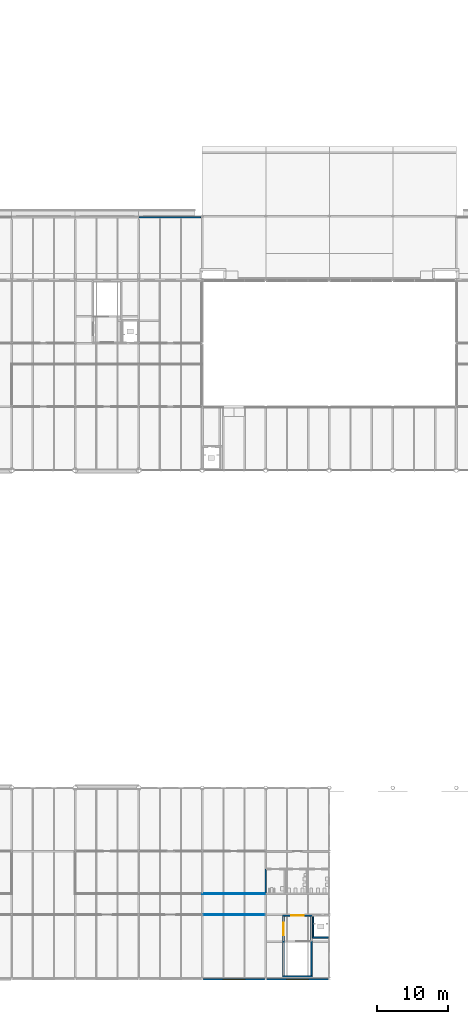
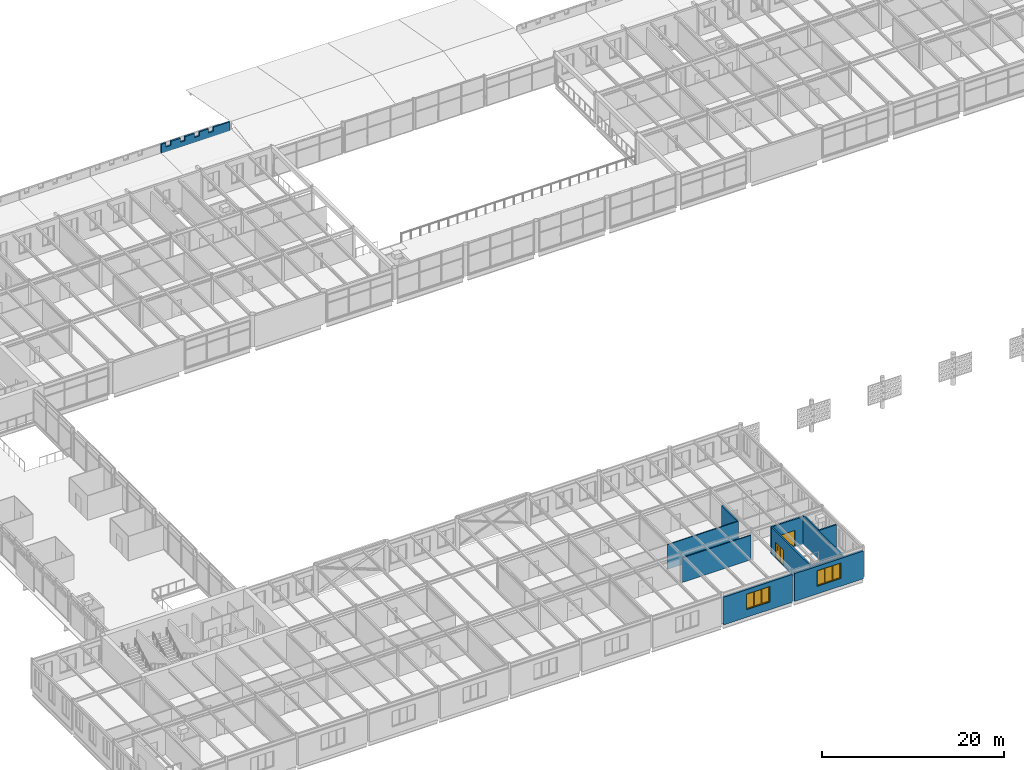
# One storey, part 76 of 123: 12 walls, 2 doors, 2 windows, 4 openings.
"""IFC4 building model written with IfcOpenShell, lengths in metres."""

from ifc_helpers import new_model, si_unit, direction, frame, frame_2d, origin, place, context, subcontext, project, spatial, polyline, rectangle, outline, extrude, material, layer, layer_set, type_object, element, fill, save


model = new_model("IFC4")

# Units and contexts
model_context = context("Model", 3, precision=1e-05, world=origin(), true_north=direction((0.0, 1.0)))
body_context = subcontext(model_context, "Body", "Model", "MODEL_VIEW")
ifc_project = project(units=[si_unit("LENGTHUNIT", "METRE"), si_unit("AREAUNIT", "SQUARE_METRE"), si_unit("VOLUMEUNIT", "CUBIC_METRE"), si_unit("PLANEANGLEUNIT", "RADIAN"), si_unit("MASSUNIT", "GRAM", prefix="KILO")], contexts=[model_context])

# Site, building, storey
site_placement = place(None, origin())
site = spatial("IfcSite", under=ifc_project, at=site_placement, CompositionType="ELEMENT")
building_placement = place(site_placement, origin())
building = spatial("IfcBuilding", under=site, at=building_placement, Name="Baradari Gate Terminus", CompositionType="ELEMENT")
storey_placement = place(building_placement, frame((0.0, 0.0, 7.5)))
storey = spatial("IfcBuildingStorey", under=building, at=storey_placement, Name="L01", CompositionType="ELEMENT", Elevation=7.5)

# Walls
ifc_material_1 = material(Name="Gypsum board")
ifc_layer_1 = layer(ifc_material_1, 0.125)
ifc_layer_set_1 = layer_set([ifc_layer_1], Name="Gypsum board")
wall_type_1 = type_object("IfcWallType", Name="Corridor partition PT-5 125 EI 30", PredefinedType="PARTITIONING", material=ifc_layer_set_1)
wall_1_placement = place(storey_placement, frame((143.871826171875, 18.0, 0.0), z_axis=(0.0, 0.0, 1.0), x_axis=(-1.0, 0.0, 0.0)))
element("IfcWall", 1, at=wall_1_placement, inside=storey, type_object=wall_type_1, Name="PT-5 partition Corridor (Service Corridor South) / Open Office South", PredefinedType="PARTITIONING", context=body_context, shape_type="SweptSolid", body=[
    extrude(rectangle(XDim=8.74365234375, YDim=0.125, at=frame_2d((4.371826171875, 0.0))), origin(), (0.0, 0.0, 1.0), 3.306884765625),
])
wall_2_placement = place(storey_placement, frame((135.0, 21.0, 0.0), z_axis=(0.0, 0.0, 1.0), x_axis=(1.0, 0.0, 0.0)))
element("IfcWall", 2, at=wall_2_placement, inside=storey, type_object=wall_type_1, Name="PT-5 partition Corridor (Service Corridor South) / South Wing Office 6", PredefinedType="PARTITIONING", context=body_context, shape_type="SweptSolid", body=[
    extrude(rectangle(XDim=9.0, YDim=0.125, at=frame_2d((4.5, 0.0))), origin(), (0.0, 0.0, 1.0), 3.306884765625),
])

# Wall, opening, window
ifc_material_2 = material(Name="Light ochre laterite masonry", Category="masonry")
ifc_layer_2 = layer(ifc_material_2, 0.219970703125)
ifc_layer_set_2 = layer_set([ifc_layer_2], Name="Light ochre laterite masonry")
wall_type_2 = type_object("IfcWallType", Name="Laterite masonry wall WP-2 220", PredefinedType="SOLIDWALL", material=ifc_layer_set_2)
wall_3_placement = place(storey_placement, frame((135.127197265625, 8.880126953125, -0.1298828125), z_axis=(0.0, 0.0, 1.0), x_axis=(1.0, 0.0, 0.0)))
wall_3 = element("IfcWall", 3, at=wall_3_placement, inside=storey, type_object=wall_type_2, Name="south front wall SS bay 16 L01", PredefinedType="SOLIDWALL", context=body_context, shape_type="SweptSolid", body=[
    extrude(rectangle(XDim=8.74560546875, YDim=0.219970703125, at=frame_2d((4.372802734375, 0.0))), origin(), (0.0, 0.0, 1.0), 3.7265625),
])
opening_1_placement = place(wall_3_placement, frame((2.872802734375, 0.0, 1.030029296875)))
opening_1 = element("IfcOpeningElement", 4, at=opening_1_placement, cuts=wall_3, Name="Opening W5", PredefinedType="OPENING", context=body_context, shape_type="SweptSolid", body=[
    extrude(rectangle(XDim=3.0, YDim=2.10009765625, at=frame_2d((1.5, 1.050048828125))), frame((0.0, 0.119873046875, 0.0), z_axis=(0.0, -1.0, 0.0), x_axis=(1.0, 0.0, 0.0)), (0.0, 0.0, 1.0), 0.239990234375),
])
ifc_material_3 = material(Name="Aluminium 6063-T6", Category="aluminium")
window_type = type_object("IfcWindowType", Name="Wide window, 4-light W5 3000x2100", PartitioningType="TRIPLE_PANEL_VERTICAL", PredefinedType="WINDOW", material=ifc_material_3)
window_1_placement = place(opening_1_placement, origin())
window_1 = element("IfcWindow", 5, at=window_1_placement, inside=storey, type_object=window_type, Name="Window W5 SS/15", OverallHeight=2.1, OverallWidth=3.0, PartitioningType="TRIPLE_PANEL_VERTICAL", PredefinedType="WINDOW", context=body_context, shape_type="SweptSolid", body=[
    extrude(outline(polyline([(0.0, 0.0), (3.0, 0.0), (3.0, 2.10009765625), (0.0, 2.10009765625), (0.0, 0.0)]), holes=[polyline([(0.070068359375, 0.070068359375), (2.929931640625, 0.070068359375), (2.929931640625, 2.030029296875), (0.070068359375, 2.030029296875), (0.070068359375, 0.070068359375)])]), frame((0.0, 0.030029296875, 0.0), z_axis=(0.0, -1.0, 0.0), x_axis=(1.0, 0.0, 0.0)), (0.0, 0.0, 1.0), 0.06005859375),
    extrude(rectangle(XDim=0.0400390625, YDim=1.9599609375, at=frame_2d((1.0166015625, 1.050048828125))), frame((0.0, 0.02197265625, 0.0), z_axis=(0.0, -1.0, 0.0), x_axis=(1.0, 0.0, 0.0)), (0.0, 0.0, 1.0), 0.0439453125),
    extrude(rectangle(XDim=0.0400390625, YDim=1.9599609375, at=frame_2d((1.9833984375, 1.050048828125))), frame((0.0, 0.02197265625, 0.0), z_axis=(0.0, -1.0, 0.0), x_axis=(1.0, 0.0, 0.0)), (0.0, 0.0, 1.0), 0.0439453125),
    extrude(outline(polyline([(0.070068359375, 0.070068359375), (0.99658203125, 0.070068359375), (0.99658203125, 2.030029296875), (0.070068359375, 2.030029296875), (0.070068359375, 0.070068359375)]), holes=[polyline([(0.10009765625, 0.10009765625), (0.966552734375, 0.10009765625), (0.966552734375, 2.0), (0.10009765625, 2.0), (0.10009765625, 0.10009765625)])]), frame((0.0, 0.0224609375, 0.0), z_axis=(0.0, -1.0, 0.0), x_axis=(1.0, 0.0, 0.0)), (0.0, 0.0, 1.0), 0.044921875),
    extrude(rectangle(XDim=0.866455078125, YDim=1.89990234375, at=frame_2d((0.533203125, 1.050048828125))), frame((0.0, 0.006103515625, 0.0), z_axis=(0.0, -1.0, 0.0), x_axis=(1.0, 0.0, 0.0)), (0.0, 0.0, 1.0), 0.01220703125),
    extrude(outline(polyline([(1.03662109375, 0.070068359375), (1.96337890625, 0.070068359375), (1.96337890625, 2.030029296875), (1.03662109375, 2.030029296875), (1.03662109375, 0.070068359375)]), holes=[polyline([(1.066650390625, 0.10009765625), (1.933349609375, 0.10009765625), (1.933349609375, 2.0), (1.066650390625, 2.0), (1.066650390625, 0.10009765625)])]), frame((0.0, 0.0224609375, 0.0), z_axis=(0.0, -1.0, 0.0), x_axis=(1.0, 0.0, 0.0)), (0.0, 0.0, 1.0), 0.044921875),
    extrude(rectangle(XDim=0.86669921875, YDim=1.89990234375, at=frame_2d((1.5, 1.050048828125))), frame((0.0, 0.006103515625, 0.0), z_axis=(0.0, -1.0, 0.0), x_axis=(1.0, 0.0, 0.0)), (0.0, 0.0, 1.0), 0.01220703125),
    extrude(outline(polyline([(2.00341796875, 0.070068359375), (2.929931640625, 0.070068359375), (2.929931640625, 2.030029296875), (2.00341796875, 2.030029296875), (2.00341796875, 0.070068359375)]), holes=[polyline([(2.033447265625, 0.10009765625), (2.89990234375, 0.10009765625), (2.89990234375, 2.0), (2.033447265625, 2.0), (2.033447265625, 0.10009765625)])]), frame((0.0, 0.0224609375, 0.0), z_axis=(0.0, -1.0, 0.0), x_axis=(1.0, 0.0, 0.0)), (0.0, 0.0, 1.0), 0.044921875),
    extrude(rectangle(XDim=0.866455078125, YDim=1.89990234375, at=frame_2d((2.466796875, 1.050048828125))), frame((0.0, 0.006103515625, 0.0), z_axis=(0.0, -1.0, 0.0), x_axis=(1.0, 0.0, 0.0)), (0.0, 0.0, 1.0), 0.01220703125),
])
fill(opening_1, window_1)

wall_4_placement = place(storey_placement, frame((144.127197265625, 8.880126953125, -0.1298828125), z_axis=(0.0, 0.0, 1.0), x_axis=(1.0, 0.0, 0.0)))
wall_4 = element("IfcWall", 6, at=wall_4_placement, inside=storey, type_object=wall_type_2, Name="south front wall SS bay 17 L01", PredefinedType="SOLIDWALL", context=body_context, shape_type="SweptSolid", body=[
    extrude(rectangle(XDim=8.74560546875, YDim=0.219970703125, at=frame_2d((4.372802734375, 0.0))), origin(), (0.0, 0.0, 1.0), 3.7265625),
])
opening_2_placement = place(wall_4_placement, frame((2.872802734375, 0.0, 1.030029296875)))
opening_2 = element("IfcOpeningElement", 7, at=opening_2_placement, cuts=wall_4, Name="Opening W5", PredefinedType="OPENING", context=body_context, shape_type="SweptSolid", body=[
    extrude(rectangle(XDim=3.0, YDim=2.10009765625, at=frame_2d((1.5, 1.050048828125))), frame((0.0, 0.119873046875, 0.0), z_axis=(0.0, -1.0, 0.0), x_axis=(1.0, 0.0, 0.0)), (0.0, 0.0, 1.0), 0.239990234375),
])
window_2_placement = place(opening_2_placement, origin())
window_2 = element("IfcWindow", 8, at=window_2_placement, inside=storey, type_object=window_type, Name="Window W5 SS/16", OverallHeight=2.1, OverallWidth=3.0, PartitioningType="TRIPLE_PANEL_VERTICAL", PredefinedType="WINDOW", context=body_context, shape_type="SweptSolid", body=[
    extrude(outline(polyline([(0.0, 0.0), (3.0, 0.0), (3.0, 2.10009765625), (0.0, 2.10009765625), (0.0, 0.0)]), holes=[polyline([(0.070068359375, 0.070068359375), (2.929931640625, 0.070068359375), (2.929931640625, 2.030029296875), (0.070068359375, 2.030029296875), (0.070068359375, 0.070068359375)])]), frame((0.0, 0.030029296875, 0.0), z_axis=(0.0, -1.0, 0.0), x_axis=(1.0, 0.0, 0.0)), (0.0, 0.0, 1.0), 0.06005859375),
    extrude(rectangle(XDim=0.0400390625, YDim=1.9599609375, at=frame_2d((1.0166015625, 1.050048828125))), frame((0.0, 0.02197265625, 0.0), z_axis=(0.0, -1.0, 0.0), x_axis=(1.0, 0.0, 0.0)), (0.0, 0.0, 1.0), 0.0439453125),
    extrude(rectangle(XDim=0.0400390625, YDim=1.9599609375, at=frame_2d((1.9833984375, 1.050048828125))), frame((0.0, 0.02197265625, 0.0), z_axis=(0.0, -1.0, 0.0), x_axis=(1.0, 0.0, 0.0)), (0.0, 0.0, 1.0), 0.0439453125),
    extrude(outline(polyline([(0.070068359375, 0.070068359375), (0.99658203125, 0.070068359375), (0.99658203125, 2.030029296875), (0.070068359375, 2.030029296875), (0.070068359375, 0.070068359375)]), holes=[polyline([(0.10009765625, 0.10009765625), (0.966552734375, 0.10009765625), (0.966552734375, 2.0), (0.10009765625, 2.0), (0.10009765625, 0.10009765625)])]), frame((0.0, 0.0224609375, 0.0), z_axis=(0.0, -1.0, 0.0), x_axis=(1.0, 0.0, 0.0)), (0.0, 0.0, 1.0), 0.044921875),
    extrude(rectangle(XDim=0.866455078125, YDim=1.89990234375, at=frame_2d((0.533203125, 1.050048828125))), frame((0.0, 0.006103515625, 0.0), z_axis=(0.0, -1.0, 0.0), x_axis=(1.0, 0.0, 0.0)), (0.0, 0.0, 1.0), 0.01220703125),
    extrude(outline(polyline([(1.03662109375, 0.070068359375), (1.96337890625, 0.070068359375), (1.96337890625, 2.030029296875), (1.03662109375, 2.030029296875), (1.03662109375, 0.070068359375)]), holes=[polyline([(1.066650390625, 0.10009765625), (1.933349609375, 0.10009765625), (1.933349609375, 2.0), (1.066650390625, 2.0), (1.066650390625, 0.10009765625)])]), frame((0.0, 0.0224609375, 0.0), z_axis=(0.0, -1.0, 0.0), x_axis=(1.0, 0.0, 0.0)), (0.0, 0.0, 1.0), 0.044921875),
    extrude(rectangle(XDim=0.86669921875, YDim=1.89990234375, at=frame_2d((1.5, 1.050048828125))), frame((0.0, 0.006103515625, 0.0), z_axis=(0.0, -1.0, 0.0), x_axis=(1.0, 0.0, 0.0)), (0.0, 0.0, 1.0), 0.01220703125),
    extrude(outline(polyline([(2.00341796875, 0.070068359375), (2.929931640625, 0.070068359375), (2.929931640625, 2.030029296875), (2.00341796875, 2.030029296875), (2.00341796875, 0.070068359375)]), holes=[polyline([(2.033447265625, 0.10009765625), (2.89990234375, 0.10009765625), (2.89990234375, 2.0), (2.033447265625, 2.0), (2.033447265625, 0.10009765625)])]), frame((0.0, 0.0224609375, 0.0), z_axis=(0.0, -1.0, 0.0), x_axis=(1.0, 0.0, 0.0)), (0.0, 0.0, 1.0), 0.044921875),
    extrude(rectangle(XDim=0.866455078125, YDim=1.89990234375, at=frame_2d((2.466796875, 1.050048828125))), frame((0.0, 0.006103515625, 0.0), z_axis=(0.0, -1.0, 0.0), x_axis=(1.0, 0.0, 0.0)), (0.0, 0.0, 1.0), 0.01220703125),
])
fill(opening_2, window_2)

# Walls
ifc_material_4 = material(Name="Blockwork wall, fire rated", Category="masonry")
ifc_layer_3 = layer(ifc_material_4, 0.199951171875)
ifc_layer_set_3 = layer_set([ifc_layer_3], Name="Blockwork wall, fire rated")
wall_type_3 = type_object("IfcWallType", Name="Lift shaft wall SH-1 200 EI 120", PredefinedType="SOLIDWALL", material=ifc_layer_set_3)
wall_5_placement = place(storey_placement, frame((150.60205078125, 14.800048828125, 0.0), z_axis=(0.0, 0.0, 1.0), x_axis=(1.0, 0.0, 0.0)))
element("IfcWall", 9, at=wall_5_placement, inside=storey, type_object=wall_type_3, Name="Lift shaft wall LSW2 L01 S", PredefinedType="SOLIDWALL", context=body_context, shape_type="SweptSolid", body=[
    extrude(rectangle(XDim=2.285888671875, YDim=0.199951171875, at=frame_2d((1.14306640625, 0.0))), origin(), (0.0, 0.0, 1.0), 3.51611328125),
])
wall_6_placement = place(storey_placement, frame((150.699951171875, 14.89990234375, 0.0), z_axis=(0.0, 0.0, 1.0), x_axis=(0.0, 1.0, 0.0)))
element("IfcWall", 10, at=wall_6_placement, inside=storey, type_object=wall_type_3, Name="Lift shaft wall LSW2 L01 W", PredefinedType="SOLIDWALL", context=body_context, shape_type="SweptSolid", body=[
    extrude(rectangle(XDim=2.900146484375, YDim=0.199951171875, at=frame_2d((1.4501953125, 0.0))), origin(), (0.0, 0.0, 1.0), 3.51611328125),
])
ifc_material_5 = material(Name="Laterite masonry", Category="masonry")
ifc_layer_4 = layer(ifc_material_5, 0.199951171875)
ifc_layer_set_4 = layer_set([ifc_layer_4], Name="Laterite masonry")
wall_type_4 = type_object("IfcWallType", Name="Parapet PW-4 200x1200 arcade", PredefinedType="PARAPET", material=ifc_layer_set_4)
wall_7_placement = place(storey_placement, frame((126.050048828125, 116.85009765625, 0.89990234375), z_axis=(0.0, 0.0, 1.0), x_axis=(1.0, 0.0, 0.0)))
element("IfcWall", 11, at=wall_7_placement, inside=storey, type_object=wall_type_4, Name="Merlon parapet 1.8 1", PredefinedType="PARAPET", context=body_context, shape_type="SweptSolid", body=[
    extrude(outline(polyline([(6.60009765625, 1.2001953125), (6.60009765625, 0.650146484375), (6.0, 0.650146484375), (6.0, 1.2001953125), (4.800048828125, 1.2001953125), (4.800048828125, 0.650146484375), (4.199951171875, 0.650146484375), (4.199951171875, 1.2001953125), (3.0, 1.2001953125), (3.0, 0.650146484375), (2.39990234375, 0.650146484375), (2.39990234375, 1.2001953125), (1.199951171875, 1.2001953125), (1.199951171875, 0.650146484375), (0.60009765625, 0.650146484375), (0.60009765625, 1.2001953125), (0.0, 1.2001953125), (0.0, 0.0), (8.72509765625, 0.0), (8.72509765625, 1.2001953125), (6.60009765625, 1.2001953125)])), frame((0.0, 0.10009765625, 0.0), z_axis=(0.0, -1.0, 0.0), x_axis=(1.0, 0.0, 0.0)), (0.0, 0.0, 1.0), 0.199951171875),
])
ifc_material_6 = material(Name="Concrete C40/50", Category="concrete")
ifc_layer_5 = layer(ifc_material_6, 0.199951171875)
ifc_layer_set_5 = layer_set([ifc_layer_5], Name="Concrete C40/50")
wall_type_5 = type_object("IfcWallType", Name="Stair enclosure wall SE-5 200 EI 120", PredefinedType="SOLIDWALL", material=ifc_layer_set_5)
wall_8_placement = place(storey_placement, frame((146.39990234375, 9.300048828125, 0.0), z_axis=(0.0, 0.0, 1.0), x_axis=(1.0, 0.0, 0.0)))
element("IfcWall", 12, at=wall_8_placement, inside=storey, type_object=wall_type_5, Name="Stair enclosure wall SE-5 ST-SW2 L01 S", PredefinedType="SOLIDWALL", context=body_context, shape_type="SweptSolid", body=[
    extrude(rectangle(XDim=4.2001953125, YDim=0.199951171875, at=frame_2d((2.10009765625, 0.0))), origin(), (0.0, 0.0, 1.0), 3.590087890625),
])

# Wall, opening, door
wall_9_placement = place(storey_placement, frame((146.39990234375, 17.89990234375, -0.1298828125), z_axis=(0.0, 0.0, 1.0), x_axis=(1.0, 0.0, 0.0)))
wall_9 = element("IfcWall", 13, at=wall_9_placement, inside=storey, type_object=wall_type_5, Name="Stair enclosure wall SE-5 ST-SW2 L01 N", PredefinedType="SOLIDWALL", context=body_context, shape_type="SweptSolid", body=[
    extrude(rectangle(XDim=4.2001953125, YDim=0.199951171875, at=frame_2d((2.10009765625, 0.0))), origin(), (0.0, 0.0, 1.0), 3.719970703125),
])
opening_3_placement = place(wall_9_placement, frame((1.199951171875, 0.0, 0.1298828125)))
opening_3 = element("IfcOpeningElement", 14, at=opening_3_placement, cuts=wall_9, Name="Opening D01-089", PredefinedType="OPENING", context=body_context, shape_type="SweptSolid", body=[
    extrude(rectangle(XDim=1.800048828125, YDim=2.10009765625, at=frame_2d((0.89990234375, 1.050048828125))), frame((0.0, 0.10986328125, 0.0), z_axis=(0.0, -1.0, 0.0), x_axis=(1.0, 0.0, 0.0)), (0.0, 0.0, 1.0), 0.219970703125),
])
ifc_material_7 = material(Name="Steel S275", Category="steel")
door_type = type_object("IfcDoorType", Name="Fire door FI-1800-FD90S 1800x2100 FD90S", OperationType="DOUBLE_DOOR_SINGLE_SWING", PredefinedType="DOOR", material=ifc_material_7)
door_1_placement = place(opening_3_placement, frame((1.800048828125, 0.0, 0.0), z_axis=(0.0, 0.0, 1.0), x_axis=(-1.0, 0.0, 0.0)))
door_1 = element("IfcDoor", 15, at=door_1_placement, inside=storey, type_object=door_type, Name="Door Stair (South Wing) 2", OperationType="DOUBLE_DOOR_SINGLE_SWING", OverallHeight=2.1, OverallWidth=1.8, PredefinedType="DOOR", context=body_context, shape_type="SweptSolid", body=[
    extrude(outline(polyline([(0.0, 0.0), (0.070068359375, 0.0), (0.070068359375, 2.030029296875), (1.72998046875, 2.030029296875), (1.72998046875, 0.0), (1.800048828125, 0.0), (1.800048828125, 2.10009765625), (0.0, 2.10009765625), (0.0, 0.0)])), frame((0.0, 0.02490234375, 0.0), z_axis=(0.0, -1.0, 0.0), x_axis=(1.0, 0.0, 0.0)), (0.0, 0.0, 1.0), 0.050048828125),
    extrude(outline(polyline([(0.073974609375, 0.010009765625), (0.89697265625, 0.010009765625), (0.89697265625, 2.026123046875), (0.073974609375, 2.026123046875), (0.073974609375, 0.010009765625)]), holes=[polyline([(0.194091796875, 0.159912109375), (0.77685546875, 0.159912109375), (0.77685546875, 1.010009765625), (0.194091796875, 1.010009765625), (0.194091796875, 0.159912109375)]), polyline([(0.33544921875, 1.159912109375), (0.635498046875, 1.159912109375), (0.635498046875, 1.760009765625), (0.33544921875, 1.760009765625), (0.33544921875, 1.159912109375)])]), frame((0.0, 0.017333984375, 0.0), z_axis=(0.0, -1.0, 0.0), x_axis=(1.0, 0.0, 0.0)), (0.0, 0.0, 1.0), 0.034912109375),
    extrude(rectangle(XDim=0.582763671875, YDim=0.85009765625, at=frame_2d((0.4853515625, 0.5849609375))), frame((0.0, 0.008544921875, 0.0), z_axis=(0.0, -1.0, 0.0), x_axis=(1.0, 0.0, 0.0)), (0.0, 0.0, 1.0), 0.017333984375),
    extrude(rectangle(XDim=0.300048828125, YDim=0.60009765625, at=frame_2d((0.4853515625, 1.4599609375))), frame((0.0, 0.005859375, 0.0), z_axis=(0.0, -1.0, 0.0), x_axis=(1.0, 0.0, 0.0)), (0.0, 0.0, 1.0), 0.011962890625),
    extrude(outline(polyline([(0.903076171875, 0.010009765625), (1.72607421875, 0.010009765625), (1.72607421875, 2.026123046875), (0.903076171875, 2.026123046875), (0.903076171875, 0.010009765625)]), holes=[polyline([(1.023193359375, 0.159912109375), (1.60595703125, 0.159912109375), (1.60595703125, 1.010009765625), (1.023193359375, 1.010009765625), (1.023193359375, 0.159912109375)]), polyline([(1.16455078125, 1.159912109375), (1.464599609375, 1.159912109375), (1.464599609375, 1.760009765625), (1.16455078125, 1.760009765625), (1.16455078125, 1.159912109375)])]), frame((0.0, 0.017333984375, 0.0), z_axis=(0.0, -1.0, 0.0), x_axis=(1.0, 0.0, 0.0)), (0.0, 0.0, 1.0), 0.034912109375),
    extrude(rectangle(XDim=0.582763671875, YDim=0.85009765625, at=frame_2d((1.314453125, 0.5849609375))), frame((0.0, 0.008544921875, 0.0), z_axis=(0.0, -1.0, 0.0), x_axis=(1.0, 0.0, 0.0)), (0.0, 0.0, 1.0), 0.017333984375),
    extrude(rectangle(XDim=0.300048828125, YDim=0.60009765625, at=frame_2d((1.314453125, 1.4599609375))), frame((0.0, 0.005859375, 0.0), z_axis=(0.0, -1.0, 0.0), x_axis=(1.0, 0.0, 0.0)), (0.0, 0.0, 1.0), 0.011962890625),
])
fill(opening_3, door_1)

wall_10_placement = place(storey_placement, frame((146.5, 9.39990234375, -0.1298828125), z_axis=(0.0, 0.0, 1.0), x_axis=(0.0, 1.0, 0.0)))
wall_10 = element("IfcWall", 16, at=wall_10_placement, inside=storey, type_object=wall_type_5, Name="Stair enclosure wall SE-5 ST-SW2 L01 W", PredefinedType="SOLIDWALL", context=body_context, shape_type="SweptSolid", body=[
    extrude(rectangle(XDim=8.400146484375, YDim=0.199951171875, at=frame_2d((4.2001953125, 0.0))), origin(), (0.0, 0.0, 1.0), 3.719970703125),
])
opening_4_placement = place(wall_10_placement, frame((5.699951171875, 0.0, 0.1298828125)))
opening_4 = element("IfcOpeningElement", 17, at=opening_4_placement, cuts=wall_10, Name="Opening D01-088", PredefinedType="OPENING", context=body_context, shape_type="SweptSolid", body=[
    extrude(rectangle(XDim=1.800048828125, YDim=2.10009765625, at=frame_2d((0.89990234375, 1.050048828125))), frame((0.0, 0.10986328125, 0.0), z_axis=(0.0, -1.0, 0.0), x_axis=(1.0, 0.0, 0.0)), (0.0, 0.0, 1.0), 0.219970703125),
])
door_2_placement = place(opening_4_placement, frame((1.800048828125, 0.0, 0.0), z_axis=(0.0, 0.0, 1.0), x_axis=(-1.0, 0.0, 0.0)))
door_2 = element("IfcDoor", 18, at=door_2_placement, inside=storey, type_object=door_type, Name="Door Stair (South Wing) 2", OperationType="DOUBLE_DOOR_SINGLE_SWING", OverallHeight=2.1, OverallWidth=1.8, PredefinedType="DOOR", context=body_context, shape_type="SweptSolid", body=[
    extrude(outline(polyline([(0.0, 0.0), (0.070068359375, 0.0), (0.070068359375, 2.030029296875), (1.72998046875, 2.030029296875), (1.72998046875, 0.0), (1.800048828125, 0.0), (1.800048828125, 2.10009765625), (0.0, 2.10009765625), (0.0, 0.0)])), frame((0.0, 0.02490234375, 0.0), z_axis=(0.0, -1.0, 0.0), x_axis=(1.0, 0.0, 0.0)), (0.0, 0.0, 1.0), 0.050048828125),
    extrude(outline(polyline([(0.073974609375, 0.010009765625), (0.89697265625, 0.010009765625), (0.89697265625, 2.026123046875), (0.073974609375, 2.026123046875), (0.073974609375, 0.010009765625)]), holes=[polyline([(0.194091796875, 0.159912109375), (0.77685546875, 0.159912109375), (0.77685546875, 1.010009765625), (0.194091796875, 1.010009765625), (0.194091796875, 0.159912109375)]), polyline([(0.33544921875, 1.159912109375), (0.635498046875, 1.159912109375), (0.635498046875, 1.760009765625), (0.33544921875, 1.760009765625), (0.33544921875, 1.159912109375)])]), frame((0.0, 0.017333984375, 0.0), z_axis=(0.0, -1.0, 0.0), x_axis=(1.0, 0.0, 0.0)), (0.0, 0.0, 1.0), 0.034912109375),
    extrude(rectangle(XDim=0.582763671875, YDim=0.85009765625, at=frame_2d((0.4853515625, 0.5849609375))), frame((0.0, 0.008544921875, 0.0), z_axis=(0.0, -1.0, 0.0), x_axis=(1.0, 0.0, 0.0)), (0.0, 0.0, 1.0), 0.017333984375),
    extrude(rectangle(XDim=0.300048828125, YDim=0.60009765625, at=frame_2d((0.4853515625, 1.4599609375))), frame((0.0, 0.005859375, 0.0), z_axis=(0.0, -1.0, 0.0), x_axis=(1.0, 0.0, 0.0)), (0.0, 0.0, 1.0), 0.011962890625),
    extrude(outline(polyline([(0.903076171875, 0.010009765625), (1.72607421875, 0.010009765625), (1.72607421875, 2.026123046875), (0.903076171875, 2.026123046875), (0.903076171875, 0.010009765625)]), holes=[polyline([(1.023193359375, 0.159912109375), (1.60595703125, 0.159912109375), (1.60595703125, 1.010009765625), (1.023193359375, 1.010009765625), (1.023193359375, 0.159912109375)]), polyline([(1.16455078125, 1.159912109375), (1.464599609375, 1.159912109375), (1.464599609375, 1.760009765625), (1.16455078125, 1.760009765625), (1.16455078125, 1.159912109375)])]), frame((0.0, 0.017333984375, 0.0), z_axis=(0.0, -1.0, 0.0), x_axis=(1.0, 0.0, 0.0)), (0.0, 0.0, 1.0), 0.034912109375),
    extrude(rectangle(XDim=0.582763671875, YDim=0.85009765625, at=frame_2d((1.314453125, 0.5849609375))), frame((0.0, 0.008544921875, 0.0), z_axis=(0.0, -1.0, 0.0), x_axis=(1.0, 0.0, 0.0)), (0.0, 0.0, 1.0), 0.017333984375),
    extrude(rectangle(XDim=0.300048828125, YDim=0.60009765625, at=frame_2d((1.314453125, 1.4599609375))), frame((0.0, 0.005859375, 0.0), z_axis=(0.0, -1.0, 0.0), x_axis=(1.0, 0.0, 0.0)), (0.0, 0.0, 1.0), 0.011962890625),
])
fill(opening_4, door_2)

# Walls
wall_11_placement = place(storey_placement, frame((150.5, 9.39990234375, -0.1298828125), z_axis=(0.0, 0.0, 1.0), x_axis=(0.0, 1.0, 0.0)))
element("IfcWall", 19, at=wall_11_placement, inside=storey, type_object=wall_type_5, Name="Stair enclosure wall SE-5 ST-SW2 L01 E", PredefinedType="SOLIDWALL", context=body_context, shape_type="SweptSolid", body=[
    extrude(rectangle(XDim=8.400146484375, YDim=0.199951171875, at=frame_2d((4.2001953125, 0.0))), origin(), (0.0, 0.0, 1.0), 3.719970703125),
])
ifc_material_8 = material(Name="Blockwork wall, tiled both faces", Category="masonry")
ifc_layer_6 = layer(ifc_material_8, 0.175048828125)
ifc_layer_set_6 = layer_set([ifc_layer_6], Name="Blockwork wall, tiled both faces")
wall_type_6 = type_object("IfcWallType", Name="WC wet wall PT-6 175 EI 60", PredefinedType="PARTITIONING", material=ifc_layer_set_6)
wall_12_placement = place(storey_placement, frame((144.0, 24.5, 0.0), z_axis=(0.0, 0.0, 1.0), x_axis=(0.0, -1.0, 0.0)))
element("IfcWall", 20, at=wall_12_placement, inside=storey, type_object=wall_type_6, Name="PT-6 partition South Wing Office 6 / Accessible WC", PredefinedType="PARTITIONING", context=body_context, shape_type="SweptSolid", body=[
    extrude(rectangle(XDim=3.41259765625, YDim=0.175048828125, at=frame_2d((1.706298828125, 0.0))), origin(), (0.0, 0.0, 1.0), 3.306884765625),
])

save(model, "model.ifc")
